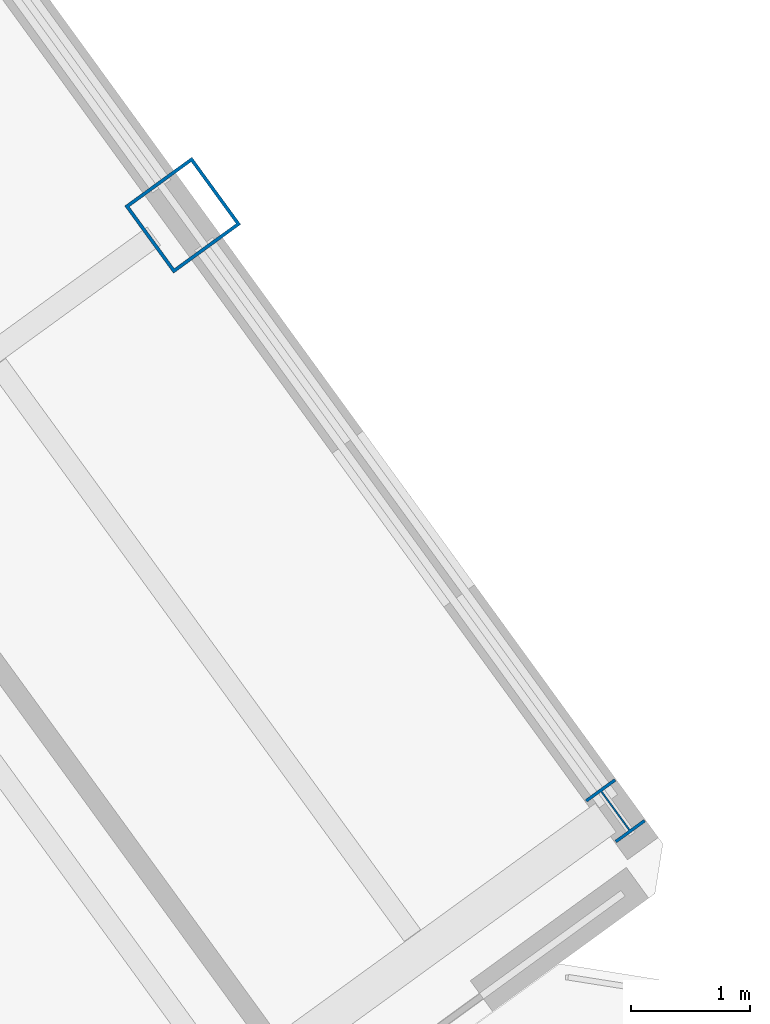
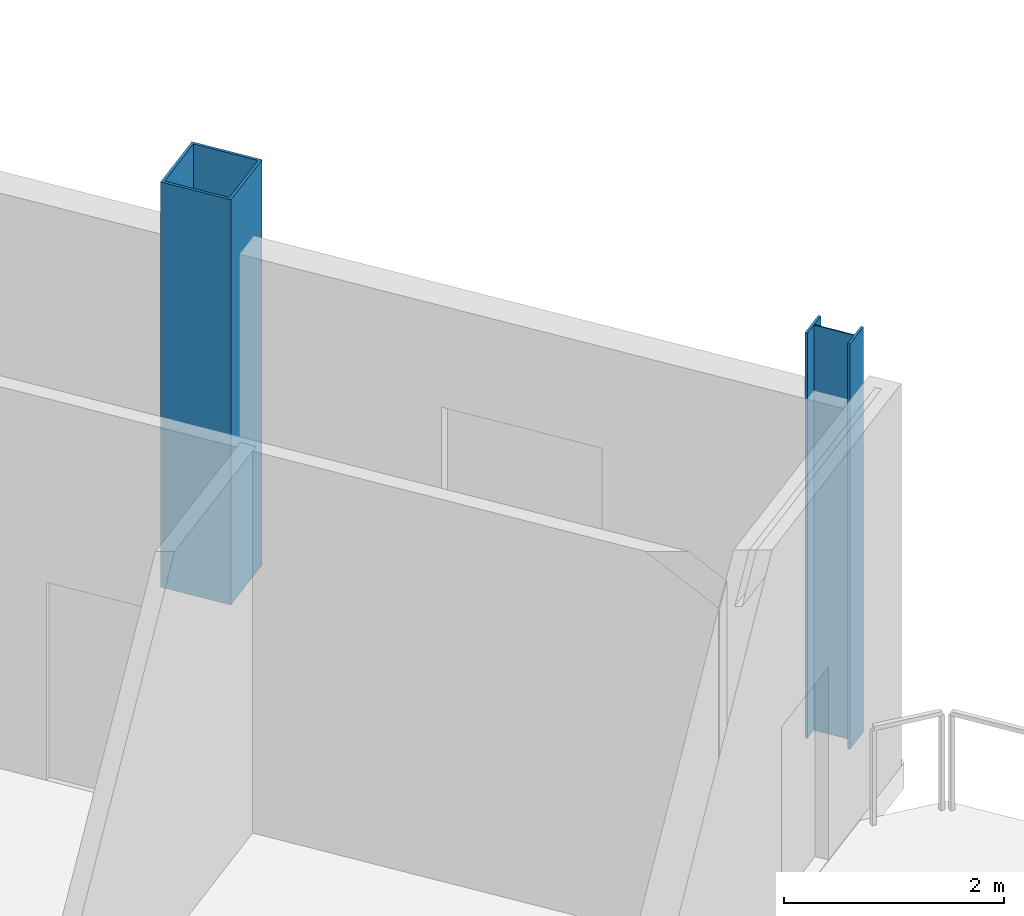
# One storey, part 4 of 27: 2 columns.
"""IFC4 building model written with IfcOpenShell, lengths in metres."""

from ifc_helpers import new_model, si_unit, direction, frame, origin, origin_2d, place, context, subcontext, project, spatial, hollow_rectangle, i_section, extrude, source, transform, mapped, material, material_profile, profile_set, type_object, element, save


model = new_model("IFC4")

# Units and contexts
model_context = context("Model", 3, precision=1e-05, world=origin(), true_north=direction((0.0, 1.0)))
body_context = subcontext(model_context, "Body", "Model", "MODEL_VIEW")
ifc_project = project(units=[si_unit("LENGTHUNIT", "METRE"), si_unit("AREAUNIT", "SQUARE_METRE"), si_unit("VOLUMEUNIT", "CUBIC_METRE"), si_unit("PLANEANGLEUNIT", "RADIAN"), si_unit("MASSUNIT", "GRAM", prefix="KILO")], contexts=[model_context])

# Site, building, storey
site_placement = place(None, origin())
site = spatial("IfcSite", under=ifc_project, at=site_placement, CompositionType="ELEMENT")
building_placement = place(site_placement, origin())
building = spatial("IfcBuilding", under=site, at=building_placement, Name="Tlacorven Tower", CompositionType="ELEMENT")
storey_placement = place(building_placement, frame((0.0, 0.0, 254.699951171875)))
storey = spatial("IfcBuildingStorey", under=building, at=storey_placement, Name="L64", CompositionType="ELEMENT", Elevation=254.699951171875)

# Columns
ifc_material_1 = material(Name="Steel S460M", Category="steel")
ifc_material_profile_1 = material_profile(ifc_material_1, hollow_rectangle(XDim=0.699951171875, YDim=0.699951171875, WallThickness=0.028076171875, at=origin_2d()), Name="BOX 700X700X28")
ifc_profile_set_1 = profile_set([ifc_material_profile_1], Name="Steel S460M")
column_type_1 = type_object("IfcColumnType", Name="COL-TWR-S4", PredefinedType="COLUMN", material=ifc_profile_set_1)
shared_shape_1 = source(origin(), body_context, "Body", "SweptSolid", [
    extrude(hollow_rectangle(XDim=0.699951171875, YDim=0.699951171875, WallThickness=0.028076171875, at=origin_2d()), origin(), (0.0, 0.0, 1.0), 4.5),
])
column_1_placement = place(storey_placement, frame((67.267822265625, 23.353515625, 0.0), z_axis=(0.0, 0.0, 1.0), x_axis=(0.809016994375, 0.587785252292, 0.0)))
element("IfcColumn", 1, at=column_1_placement, inside=storey, type_object=column_type_1, Name="L64 column COL-L64-E4-2", PredefinedType="COLUMN", context=body_context, shape_type="MappedRepresentation", body=[
    mapped(shared_shape_1, transform((0.0, 0.0, 0.0), scale=1.0)),
])
ifc_material_2 = material(Name="Steel S355J2", Category="steel")
ifc_material_profile_2 = material_profile(ifc_material_2, i_section(OverallWidth=0.300048828125, OverallDepth=0.449951171875, WebThickness=0.013916015625, FlangeThickness=0.02587890625, at=origin_2d()), Name="HEB 450")
ifc_profile_set_2 = profile_set([ifc_material_profile_2], Name="Steel S355J2")
column_type_2 = type_object("IfcColumnType", Name="COL-TWR-P3", PredefinedType="COLUMN", material=ifc_profile_set_2)
shared_shape_2 = source(origin(), body_context, "Body", "SweptSolid", [
    extrude(i_section(OverallWidth=0.300048828125, OverallDepth=0.449951171875, WebThickness=0.013916015625, FlangeThickness=0.02587890625, at=origin_2d()), origin(), (0.0, 0.0, 1.0), 4.5),
])
column_2_placement = place(storey_placement, frame((70.911865234375, 18.337646484375, 0.0), z_axis=(0.0, 0.0, 1.0), x_axis=(0.809016994375, 0.587785252292, 0.0)))
element("IfcColumn", 2, at=column_2_placement, inside=storey, type_object=column_type_2, Name="L64 column COL-L64-E4-1", PredefinedType="COLUMN", context=body_context, shape_type="MappedRepresentation", body=[
    mapped(shared_shape_2, transform((0.0, 0.0, 0.0), scale=1.0)),
])

save(model, "model.ifc")
